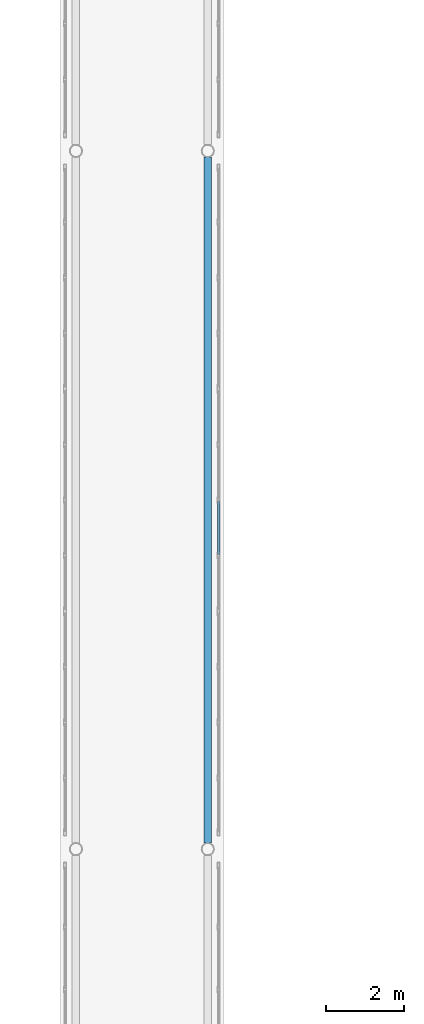
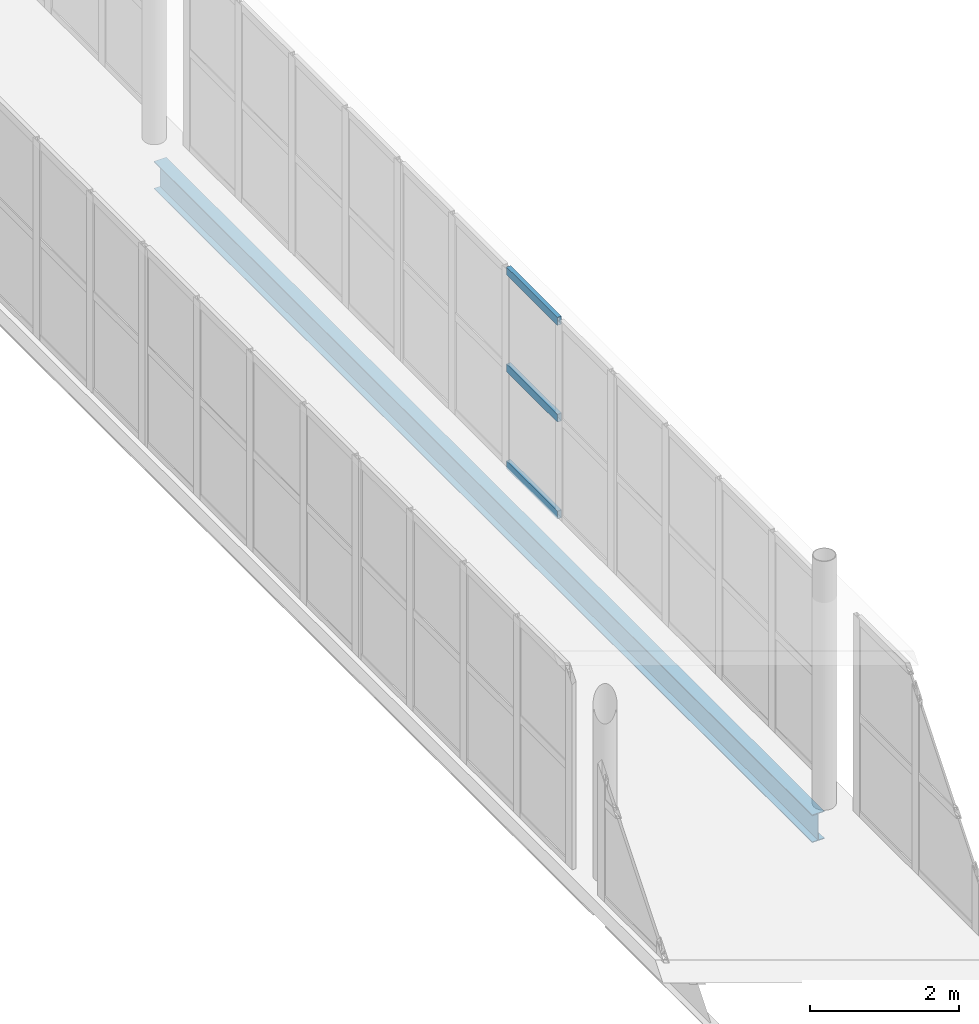
# One storey, part 65 of 146: 3 members, 1 beam, 1 element without a shape of its own.
"""IFC4 building model written with IfcOpenShell, lengths in metres."""

from ifc_helpers import new_model, si_unit, direction, frame, origin, origin_2d, place, context, subcontext, project, spatial, hollow_rectangle, i_section, extrude, material, layer, layer_set, material_profile, profile_set, type_object, element, aggregate, save


model = new_model("IFC4")

# Units and contexts
model_context = context("Model", 3, precision=1e-05, world=origin(), true_north=direction((0.0, 1.0)))
body_context = subcontext(model_context, "Body", "Model", "MODEL_VIEW")
ifc_project = project(units=[si_unit("LENGTHUNIT", "METRE"), si_unit("AREAUNIT", "SQUARE_METRE"), si_unit("VOLUMEUNIT", "CUBIC_METRE"), si_unit("PLANEANGLEUNIT", "RADIAN"), si_unit("MASSUNIT", "GRAM", prefix="KILO")], contexts=[model_context])

# Site, building, storey
site_placement = place(None, origin())
site = spatial("IfcSite", under=ifc_project, at=site_placement, CompositionType="ELEMENT")
building_placement = place(site_placement, origin())
building = spatial("IfcBuilding", under=site, at=building_placement, Name="Valcora Specialist Clinic", CompositionType="ELEMENT")
storey_placement = place(building_placement, frame((0.0, 0.0, 9.52001953125)))
storey = spatial("IfcBuildingStorey", under=building, at=storey_placement, Name="L02", CompositionType="ELEMENT", Elevation=9.52001953125)

# Beam
ifc_material_1 = material(Name="Steel ASTM A992 Grade 50", Category="steel")
ifc_material_profile_1 = material_profile(ifc_material_1, i_section(OverallWidth=0.18994140625, OverallDepth=0.45703125, WebThickness=0.009033203125, FlangeThickness=0.014892578125, at=origin_2d()), Name="ST-IR-460X190")
ifc_profile_set_1 = profile_set([ifc_material_profile_1], Name="Steel ASTM A992 Grade 50")
beam_type = type_object("IfcBeamType", Name="TY-BG-IR460", PredefinedType="HOLLOWCORE", material=ifc_profile_set_1)
beam_placement = place(storey_placement, frame((65.0, 38.159912109375, -0.482421875), z_axis=(0.0, 1.0, 0.0), x_axis=(-1.0, 0.0, 0.0)))
element("IfcBeam", 1, at=beam_placement, inside=storey, type_object=beam_type, Name="Bridge girder BM-L02-1628", PredefinedType="HOLLOWCORE", context=body_context, shape_type="SweptSolid", body=[
    extrude(i_section(OverallWidth=0.18994140625, OverallDepth=0.45703125, WebThickness=0.009033203125, FlangeThickness=0.014892578125, at=origin_2d()), origin(), (0.0, 0.0, 1.0), 17.68017578125),
])

# Curtain wall, members
ifc_material_2 = material(Name="Anodized Bronze Aluminium 6063-T6", Category="aluminium")
ifc_layer = layer(ifc_material_2, 0.175048828125)
ifc_layer_set = layer_set([ifc_layer], Name="Anodized Bronze Aluminium 6063-T6")
curtain_wall_type = type_object("IfcCurtainWallType", Name="TY-CW-BRG14", PredefinedType="NOTDEFINED", material=ifc_layer_set)
curtain_wall_placement = place(storey_placement, origin())
curtain_wall = element("IfcCurtainWall", 2, at=curtain_wall_placement, inside=storey, type_object=curtain_wall_type, Name="Curtain wall CW-L02-262", PredefinedType="NOTDEFINED")
ifc_material_profile_2 = material_profile(ifc_material_2, hollow_rectangle(XDim=0.06494140625, YDim=0.1298828125, WallThickness=0.00390625, at=origin_2d()), Name="AL-TRN-65X130")
ifc_profile_set_2 = profile_set([ifc_material_profile_2], Name="Anodized Bronze Aluminium 6063-T6")
member_type = type_object("IfcMemberType", Name="TY-CWT-65X130", PredefinedType="USERDEFINED", material=ifc_profile_set_2)
member_1_placement = place(storey_placement, frame((65.280029296875, 45.59912109375, 0.032470703125), z_axis=(0.0, 1.0, 0.0), x_axis=(-1.0, 0.0, 0.0)))
member_1 = element("IfcMember", 3, at=member_1_placement, type_object=member_type, Name="CW-BRG-14 transom 2.1", ObjectType="TRANSOM", PredefinedType="USERDEFINED", context=body_context, shape_type="SweptSolid", body=[
    extrude(hollow_rectangle(XDim=0.06494140625, YDim=0.1298828125, WallThickness=0.00390625, at=origin_2d()), origin(), (0.0, 0.0, 1.0), 1.368408203125),
])
member_2_placement = place(storey_placement, frame((65.280029296875, 45.59912109375, 1.619873046875), z_axis=(0.0, 1.0, 0.0), x_axis=(-1.0, 0.0, 0.0)))
member_2 = element("IfcMember", 4, at=member_2_placement, type_object=member_type, Name="CW-BRG-14 transom 2.2", ObjectType="TRANSOM", PredefinedType="USERDEFINED", context=body_context, shape_type="SweptSolid", body=[
    extrude(hollow_rectangle(XDim=0.06494140625, YDim=0.1298828125, WallThickness=0.00390625, at=origin_2d()), origin(), (0.0, 0.0, 1.0), 1.368408203125),
])
member_3_placement = place(storey_placement, frame((65.280029296875, 45.59912109375, 3.20751953125), z_axis=(0.0, 1.0, 0.0), x_axis=(-1.0, 0.0, 0.0)))
member_3 = element("IfcMember", 5, at=member_3_placement, type_object=member_type, Name="CW-BRG-14 transom 2.3", ObjectType="TRANSOM", PredefinedType="USERDEFINED", context=body_context, shape_type="SweptSolid", body=[
    extrude(hollow_rectangle(XDim=0.06494140625, YDim=0.1298828125, WallThickness=0.00390625, at=origin_2d()), origin(), (0.0, 0.0, 1.0), 1.368408203125),
])
aggregate(curtain_wall, [member_1, member_2, member_3])

save(model, "model.ifc")
